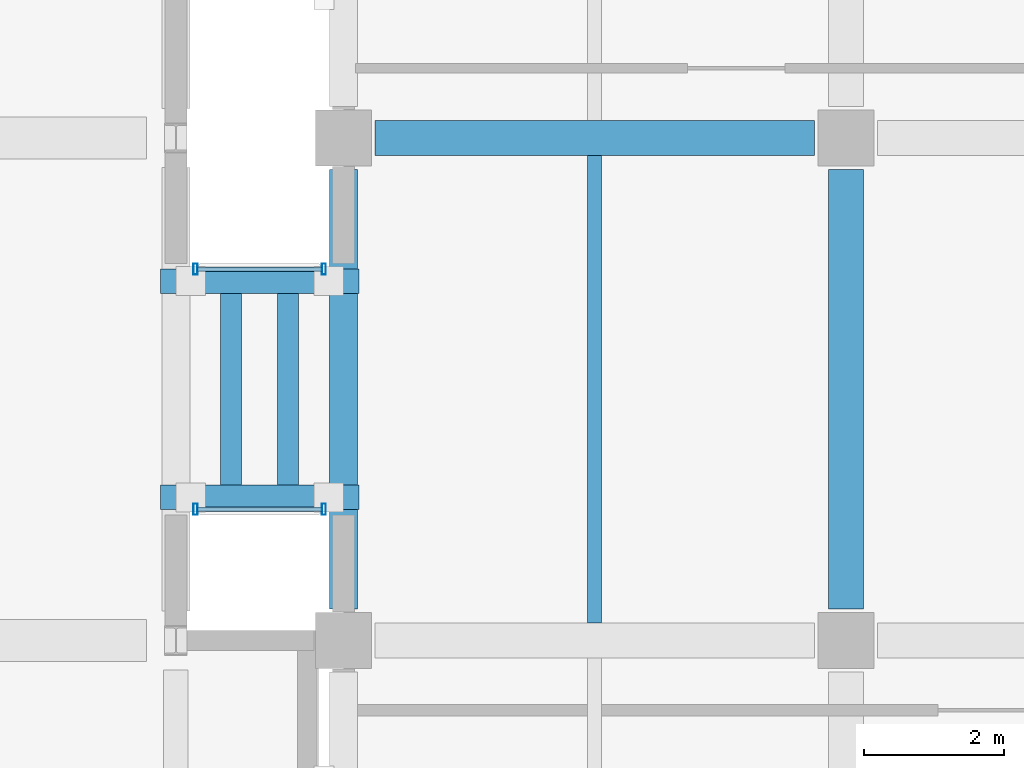
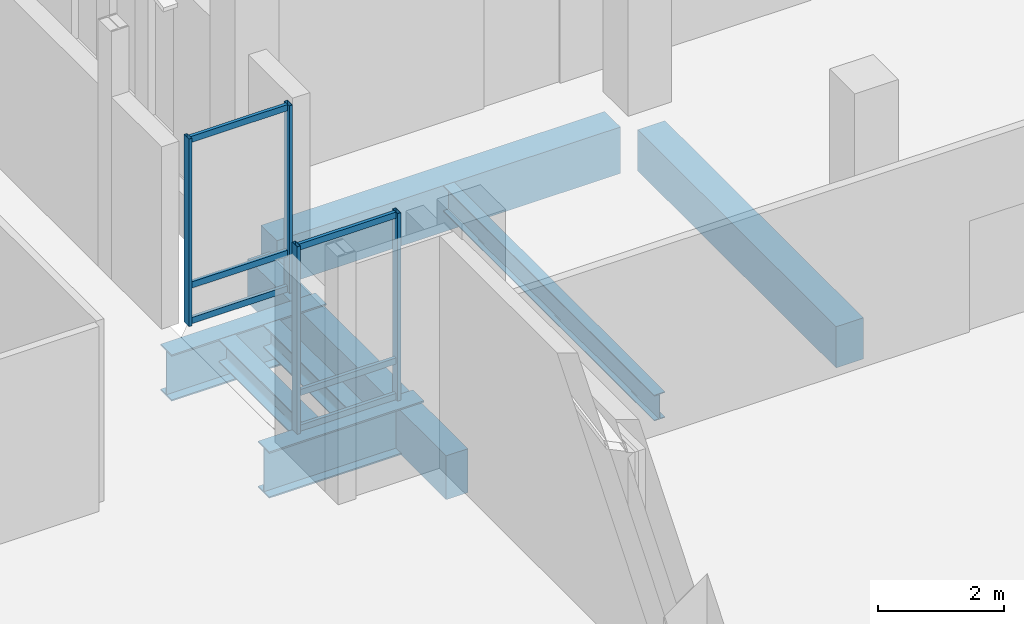
# One storey, part 82 of 220: 10 members, 8 beams, 2 elements without a shape of their own.
"""IFC4 building model written with IfcOpenShell, lengths in metres."""

from ifc_helpers import new_model, si_unit, direction, frame, origin, origin_2d, place, context, subcontext, project, spatial, rectangle, hollow_rectangle, i_section, extrude, material, material_profile, profile_set, type_object, element, aggregate, save


model = new_model("IFC4")

# Units and contexts
model_context = context("Model", 3, precision=1e-05, world=origin(), true_north=direction((0.0, 1.0)))
body_context = subcontext(model_context, "Body", "Model", "MODEL_VIEW")
ifc_project = project(units=[si_unit("LENGTHUNIT", "METRE"), si_unit("AREAUNIT", "SQUARE_METRE"), si_unit("VOLUMEUNIT", "CUBIC_METRE"), si_unit("PLANEANGLEUNIT", "RADIAN"), si_unit("MASSUNIT", "GRAM", prefix="KILO")], contexts=[model_context])

# Site, building, storey
site_placement = place(None, origin())
site = spatial("IfcSite", under=ifc_project, at=site_placement, CompositionType="ELEMENT")
building_placement = place(site_placement, origin())
building = spatial("IfcBuilding", under=site, at=building_placement, Name="Cendralis Lancet Convention Centre", CompositionType="ELEMENT")
storey_placement = place(building_placement, frame((0.0, 0.0, 5.39990234375)))
storey = spatial("IfcBuildingStorey", under=building, at=storey_placement, Name="L01", CompositionType="ELEMENT", Elevation=5.39990234375)

# Curtain wall, members
ifc_material_1 = material(Name="Anodised bronze architectural aluminium", Category="aluminium")
curtain_wall_type = type_object("IfcCurtainWallType", Name="ARC-CW-BR01", PredefinedType="USERDEFINED", material=ifc_material_1)
curtain_wall_1_placement = place(storey_placement, origin())
curtain_wall_1 = element("IfcCurtainWall", 1, at=curtain_wall_1_placement, inside=storey, type_object=curtain_wall_type, Name="L01 Curtain Wall CW-BR1 #203", ObjectType="CURTAIN WALL", PredefinedType="USERDEFINED")
ifc_material_profile_1 = material_profile(ifc_material_1, hollow_rectangle(XDim=0.06005859375, YDim=0.159912109375, WallThickness=0.00390625, at=origin_2d()), Name="AL-MULL 60x160x4.0")
ifc_profile_set_1 = profile_set([ifc_material_profile_1], Name="Anodised bronze architectural aluminium")
member_type_1 = type_object("IfcMemberType", Name="ARC-CW-ML01", PredefinedType="MULLION", material=ifc_profile_set_1)
member_1_placement = place(storey_placement, frame((129.8798828125, 16.280029296875, 0.0), z_axis=(0.0, 0.0, 1.0), x_axis=(1.0, 0.0, 0.0)))
member_1 = element("IfcMember", 2, at=member_1_placement, type_object=member_type_1, Name="Mullion CW2-CW-BR1-L01-203-M0", PredefinedType="MULLION", context=body_context, shape_type="SweptSolid", body=[
    extrude(hollow_rectangle(XDim=0.06005859375, YDim=0.159912109375, WallThickness=0.00390625, at=origin_2d()), origin(), (0.0, 0.0, 1.0), 3.635009765625),
])
member_2_placement = place(storey_placement, frame((131.719970703125, 16.280029296875, 0.0), z_axis=(0.0, 0.0, 1.0), x_axis=(1.0, 0.0, 0.0)))
member_2 = element("IfcMember", 3, at=member_2_placement, type_object=member_type_1, Name="Mullion CW2-CW-BR1-L01-203-M1", PredefinedType="MULLION", context=body_context, shape_type="SweptSolid", body=[
    extrude(hollow_rectangle(XDim=0.06005859375, YDim=0.159912109375, WallThickness=0.00390625, at=origin_2d()), origin(), (0.0, 0.0, 1.0), 3.635009765625),
])

curtain_wall_2_placement = place(storey_placement, origin())
curtain_wall_2 = element("IfcCurtainWall", 4, at=curtain_wall_2_placement, inside=storey, type_object=curtain_wall_type, Name="L01 Curtain Wall CW-BR1 #204", ObjectType="CURTAIN WALL", PredefinedType="USERDEFINED")
member_3_placement = place(storey_placement, frame((129.8798828125, 19.719970703125, 0.0), z_axis=(0.0, 0.0, 1.0), x_axis=(1.0, 0.0, 0.0)))
member_3 = element("IfcMember", 5, at=member_3_placement, type_object=member_type_1, Name="Mullion CW2-CW-BR1-L01-204-M0", PredefinedType="MULLION", context=body_context, shape_type="SweptSolid", body=[
    extrude(hollow_rectangle(XDim=0.06005859375, YDim=0.159912109375, WallThickness=0.00390625, at=origin_2d()), origin(), (0.0, 0.0, 1.0), 3.635009765625),
])
member_4_placement = place(storey_placement, frame((131.719970703125, 19.719970703125, 0.0), z_axis=(0.0, 0.0, 1.0), x_axis=(1.0, 0.0, 0.0)))
member_4 = element("IfcMember", 6, at=member_4_placement, type_object=member_type_1, Name="Mullion CW2-CW-BR1-L01-204-M1", PredefinedType="MULLION", context=body_context, shape_type="SweptSolid", body=[
    extrude(hollow_rectangle(XDim=0.06005859375, YDim=0.159912109375, WallThickness=0.00390625, at=origin_2d()), origin(), (0.0, 0.0, 1.0), 3.635009765625),
])

# Member
ifc_material_profile_2 = material_profile(ifc_material_1, hollow_rectangle(XDim=0.06005859375, YDim=0.1201171875, WallThickness=0.00390625, at=origin_2d()), Name="AL-TRAN 60x120x4.0")
ifc_profile_set_2 = profile_set([ifc_material_profile_2], Name="Anodised bronze architectural aluminium")
member_type_2 = type_object("IfcMemberType", Name="ARC-CW-TR01", PredefinedType="USERDEFINED", material=ifc_profile_set_2)
member_5_placement = place(storey_placement, frame((129.909912109375, 16.280029296875, 0.06005859375), z_axis=(1.0, 0.0, 0.0), x_axis=(0.0, 1.0, 0.0)))
member_5 = element("IfcMember", 7, at=member_5_placement, type_object=member_type_2, Name="Transom CW2-CW-BR1-L01-203-T0BOT", ObjectType="TRANSOM", PredefinedType="USERDEFINED", context=body_context, shape_type="SweptSolid", body=[
    extrude(hollow_rectangle(XDim=0.06005859375, YDim=0.1201171875, WallThickness=0.00390625, at=origin_2d()), origin(), (0.0, 0.0, 1.0), 1.780029296875),
])

member_6_placement = place(storey_placement, frame((129.909912109375, 16.280029296875, 0.75), z_axis=(1.0, 0.0, 0.0), x_axis=(0.0, 1.0, 0.0)))
member_6 = element("IfcMember", 8, at=member_6_placement, type_object=member_type_2, Name="Transom CW2-CW-BR1-L01-203-T0MID", ObjectType="TRANSOM", PredefinedType="USERDEFINED", context=body_context, shape_type="SweptSolid", body=[
    extrude(hollow_rectangle(XDim=0.06005859375, YDim=0.1201171875, WallThickness=0.00390625, at=origin_2d()), origin(), (0.0, 0.0, 1.0), 1.780029296875),
])

member_7_placement = place(storey_placement, frame((129.909912109375, 16.280029296875, 3.5751953125), z_axis=(1.0, 0.0, 0.0), x_axis=(0.0, 1.0, 0.0)))
member_7 = element("IfcMember", 9, at=member_7_placement, type_object=member_type_2, Name="Transom CW2-CW-BR1-L01-203-T0TOP", ObjectType="TRANSOM", PredefinedType="USERDEFINED", context=body_context, shape_type="SweptSolid", body=[
    extrude(hollow_rectangle(XDim=0.06005859375, YDim=0.1201171875, WallThickness=0.00390625, at=origin_2d()), origin(), (0.0, 0.0, 1.0), 1.780029296875),
])

aggregate(curtain_wall_1, [member_1, member_2, member_5, member_6, member_7])

member_8_placement = place(storey_placement, frame((129.909912109375, 19.719970703125, 0.06005859375), z_axis=(1.0, 0.0, 0.0), x_axis=(0.0, 1.0, 0.0)))
member_8 = element("IfcMember", 10, at=member_8_placement, type_object=member_type_2, Name="Transom CW2-CW-BR1-L01-204-T0BOT", ObjectType="TRANSOM", PredefinedType="USERDEFINED", context=body_context, shape_type="SweptSolid", body=[
    extrude(hollow_rectangle(XDim=0.06005859375, YDim=0.1201171875, WallThickness=0.00390625, at=origin_2d()), origin(), (0.0, 0.0, 1.0), 1.780029296875),
])

member_9_placement = place(storey_placement, frame((129.909912109375, 19.719970703125, 0.75), z_axis=(1.0, 0.0, 0.0), x_axis=(0.0, 1.0, 0.0)))
member_9 = element("IfcMember", 11, at=member_9_placement, type_object=member_type_2, Name="Transom CW2-CW-BR1-L01-204-T0MID", ObjectType="TRANSOM", PredefinedType="USERDEFINED", context=body_context, shape_type="SweptSolid", body=[
    extrude(hollow_rectangle(XDim=0.06005859375, YDim=0.1201171875, WallThickness=0.00390625, at=origin_2d()), origin(), (0.0, 0.0, 1.0), 1.780029296875),
])

member_10_placement = place(storey_placement, frame((129.909912109375, 19.719970703125, 3.5751953125), z_axis=(1.0, 0.0, 0.0), x_axis=(0.0, 1.0, 0.0)))
member_10 = element("IfcMember", 12, at=member_10_placement, type_object=member_type_2, Name="Transom CW2-CW-BR1-L01-204-T0TOP", ObjectType="TRANSOM", PredefinedType="USERDEFINED", context=body_context, shape_type="SweptSolid", body=[
    extrude(hollow_rectangle(XDim=0.06005859375, YDim=0.1201171875, WallThickness=0.00390625, at=origin_2d()), origin(), (0.0, 0.0, 1.0), 1.780029296875),
])

aggregate(curtain_wall_2, [member_3, member_4, member_8, member_9, member_10])

# Beams
ifc_material_2 = material(Name="Concrete G35 (C35/45)", Category="concrete")
ifc_material_profile_3 = material_profile(ifc_material_2, rectangle(XDim=0.5, YDim=0.89990234375, at=origin_2d()), Name="RCB 500x900")
ifc_profile_set_3 = profile_set([ifc_material_profile_3], Name="Concrete G35 (C35/45)")
beam_type_1 = type_object("IfcBeamType", Name="STR-BM-BG07", PredefinedType="BEAM", material=ifc_profile_set_3)
beam_1_placement = place(storey_placement, frame((132.449951171875, 21.60009765625, -0.72998046875), z_axis=(1.0, 0.0, 0.0), x_axis=(0.0, 1.0, 0.0)))
element("IfcBeam", 13, at=beam_1_placement, inside=storey, type_object=beam_type_1, Name="L01 Beam BG07 #0147", PredefinedType="BEAM", context=body_context, shape_type="SweptSolid", body=[
    extrude(rectangle(XDim=0.5, YDim=0.89990234375, at=origin_2d()), origin(), (0.0, 0.0, 1.0), 6.300048828125),
])
ifc_material_profile_4 = material_profile(ifc_material_2, rectangle(XDim=0.5, YDim=0.800048828125, at=origin_2d()), Name="RCB 500x800")
ifc_profile_set_4 = profile_set([ifc_material_profile_4], Name="Concrete G35 (C35/45)")
beam_type_2 = type_object("IfcBeamType", Name="STR-BM-BG09", PredefinedType="BEAM", material=ifc_profile_set_4)
beam_2_placement = place(storey_placement, frame((139.199951171875, 14.85009765625, -0.679931640625), z_axis=(0.0, 1.0, 0.0), x_axis=(-1.0, 0.0, 0.0)))
element("IfcBeam", 14, at=beam_2_placement, inside=storey, type_object=beam_type_2, Name="L01 Beam BG09 #0182", PredefinedType="BEAM", context=body_context, shape_type="SweptSolid", body=[
    extrude(rectangle(XDim=0.5, YDim=0.800048828125, at=origin_2d()), origin(), (0.0, 0.0, 1.0), 6.2998046875),
])
ifc_material_3 = material(Name="Steel S355", Category="steel")
ifc_material_profile_5 = material_profile(ifc_material_3, i_section(OverallWidth=0.35009765625, OverallDepth=0.89990234375, WebThickness=0.01611328125, FlangeThickness=0.028076171875, at=origin_2d()), Name="PG 900x350")
ifc_profile_set_5 = profile_set([ifc_material_profile_5], Name="Steel S355")
beam_type_3 = type_object("IfcBeamType", Name="STR-BM-SG05", PredefinedType="BEAM", material=ifc_profile_set_5)
for number, where, z_axis, x_axis, name in (
    (15, (129.3798828125, 16.449951171875, -0.669921875), (1.0, 0.0, 0.0), (0.0, 1.0, 0.0), "L01 Beam SG05 #1904"),
    (16, (129.3798828125, 19.550048828125, -0.669921875), (1.0, 0.0, 0.0), (0.0, 1.0, 0.0), "L01 Beam SG05 #1905"),
):
    element("IfcBeam", number, at=place(storey_placement, frame(where, z_axis=z_axis, x_axis=x_axis)), inside=storey, type_object=beam_type_3, Name=name, PredefinedType="BEAM", context=body_context, shape_type="SweptSolid", body=[
        extrude(i_section(OverallWidth=0.35009765625, OverallDepth=0.89990234375, WebThickness=0.01611328125, FlangeThickness=0.028076171875, at=origin_2d()), origin(), (0.0, 0.0, 1.0), 2.840087890625),
    ])
ifc_material_profile_6 = material_profile(ifc_material_3, i_section(OverallWidth=0.300048828125, OverallDepth=0.43994140625, WebThickness=0.011474609375, FlangeThickness=0.02099609375, FilletRadius=0.027099609375, at=origin_2d()), Name="HEA 450")
ifc_profile_set_6 = profile_set([ifc_material_profile_6], Name="Steel S355")
beam_type_4 = type_object("IfcBeamType", Name="STR-BM-SG13", PredefinedType="BEAM", material=ifc_profile_set_6)
for number, where, z_axis, x_axis, name in (
    (17, (130.39208984375, 16.6298828125, -0.43994140625), (0.0, 1.0, 0.0), (-1.0, 0.0, 0.0), "L01 Beam SG13 #1906"),
    (18, (131.2080078125, 16.6298828125, -0.43994140625), (0.0, 1.0, 0.0), (-1.0, 0.0, 0.0), "L01 Beam SG13 #1907"),
):
    element("IfcBeam", number, at=place(storey_placement, frame(where, z_axis=z_axis, x_axis=x_axis)), inside=storey, type_object=beam_type_4, Name=name, PredefinedType="BEAM", context=body_context, shape_type="SweptSolid", body=[
        extrude(i_section(OverallWidth=0.300048828125, OverallDepth=0.43994140625, WebThickness=0.011474609375, FlangeThickness=0.02099609375, FilletRadius=0.027099609375, at=origin_2d()), origin(), (0.0, 0.0, 1.0), 2.740234375),
    ])
ifc_material_profile_7 = material_profile(ifc_material_3, i_section(OverallWidth=0.199951171875, OverallDepth=0.5, WebThickness=0.01025390625, FlangeThickness=0.01611328125, FilletRadius=0.02099609375, at=origin_2d()), Name="IPE 500")
ifc_profile_set_7 = profile_set([ifc_material_profile_7], Name="Steel S355")
beam_type_5 = type_object("IfcBeamType", Name="STR-JS-BJ06", PredefinedType="JOIST", material=ifc_profile_set_7)
beam_3_placement = place(storey_placement, frame((135.60009765625, 14.64990234375, -0.52978515625), z_axis=(0.0, 1.0, 0.0), x_axis=(-1.0, 0.0, 0.0)))
element("IfcBeam", 19, at=beam_3_placement, inside=storey, type_object=beam_type_5, Name="L01 Beam BJ06 #0220", PredefinedType="JOIST", context=body_context, shape_type="SweptSolid", body=[
    extrude(i_section(OverallWidth=0.199951171875, OverallDepth=0.5, WebThickness=0.01025390625, FlangeThickness=0.01611328125, FilletRadius=0.02099609375, at=origin_2d()), origin(), (0.0, 0.0, 1.0), 6.7001953125),
])
ifc_material_4 = material(Name="Concrete G40 (C40/50)", Category="concrete")
ifc_material_profile_8 = material_profile(ifc_material_4, rectangle(XDim=0.39990234375, YDim=0.85009765625, at=origin_2d()), Name="RCB 400x850")
ifc_profile_set_8 = profile_set([ifc_material_profile_8], Name="Concrete G40 (C40/50)")
beam_type_6 = type_object("IfcBeamType", Name="STR-SP-SP02", PredefinedType="SPANDREL", material=ifc_profile_set_8)
beam_4_placement = place(storey_placement, frame((132.0, 14.85009765625, -0.704833984375), z_axis=(0.0, 1.0, 0.0), x_axis=(-1.0, 0.0, 0.0)))
element("IfcBeam", 20, at=beam_4_placement, inside=storey, type_object=beam_type_6, Name="L01 Beam SP02 #0178", PredefinedType="SPANDREL", context=body_context, shape_type="SweptSolid", body=[
    extrude(rectangle(XDim=0.39990234375, YDim=0.85009765625, at=origin_2d()), origin(), (0.0, 0.0, 1.0), 6.2998046875),
])

save(model, "model.ifc")
